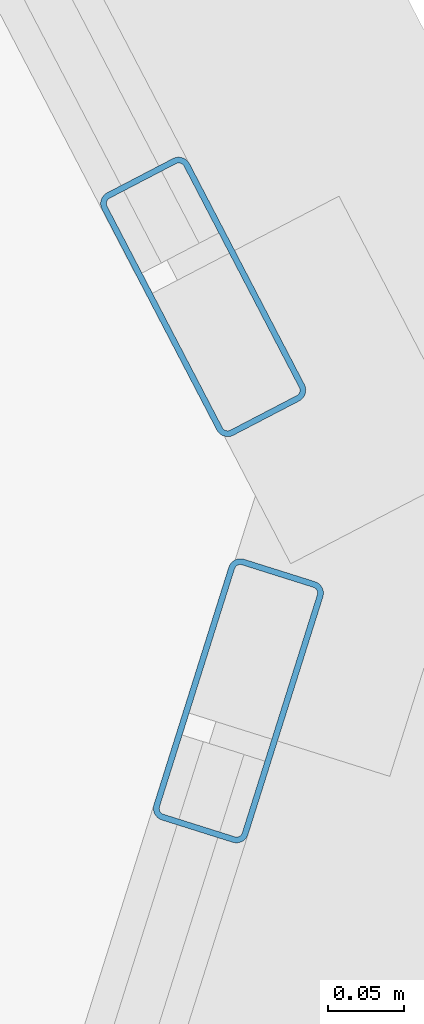
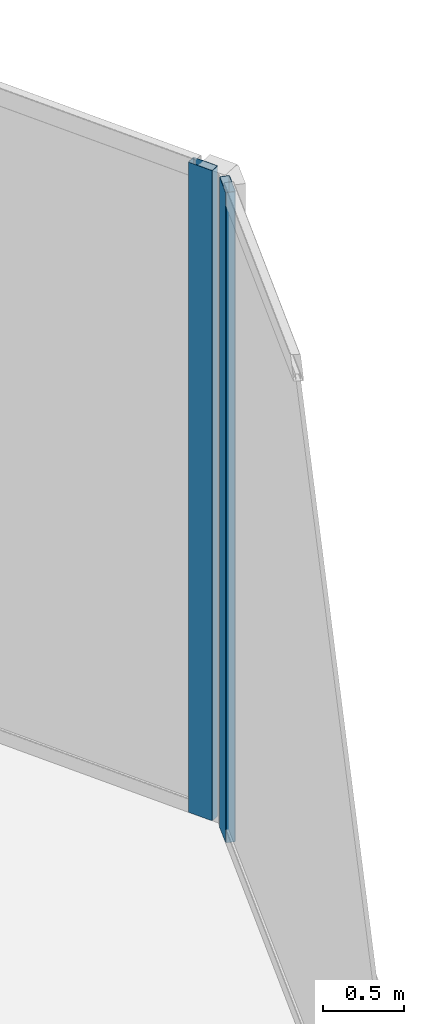
# One storey, part 19 of 28: 2 members, 2 elements without a shape of their own.
"""IFC4 building model written with IfcOpenShell, lengths in metres."""

from ifc_helpers import new_model, si_unit, direction, frame, origin, origin_2d, place, context, subcontext, project, spatial, hollow_rectangle, extrude, source, transform, mapped, material, material_profile, profile_set, type_object, element, aggregate, save


model = new_model("IFC4")

# Units and contexts
model_context = context("Model", 3, precision=1e-05, world=origin(), true_north=direction((0.0, 1.0)))
body_context = subcontext(model_context, "Body", "Model", "MODEL_VIEW")
ifc_project = project(units=[si_unit("LENGTHUNIT", "METRE"), si_unit("AREAUNIT", "SQUARE_METRE"), si_unit("VOLUMEUNIT", "CUBIC_METRE"), si_unit("PLANEANGLEUNIT", "RADIAN"), si_unit("MASSUNIT", "GRAM", prefix="KILO")], contexts=[model_context])

# Site, building, storey
site_placement = place(None, origin())
site = spatial("IfcSite", under=ifc_project, at=site_placement, CompositionType="ELEMENT")
building_placement = place(site_placement, origin())
building = spatial("IfcBuilding", under=site, at=building_placement, Name="Torre Montelarca", CompositionType="ELEMENT")
storey_placement = place(building_placement, frame((0.0, 0.0, 116.800048828125)))
storey = spatial("IfcBuildingStorey", under=building, at=storey_placement, Name="L26", CompositionType="ELEMENT", Elevation=116.800048828125)

# Curtain wall, member
ifc_material_1 = material(Name="Insulated low-E laminated glass", Category="glass")
curtain_wall_type = type_object("IfcCurtainWallType", Name="CW-SYS-Z1", PredefinedType="USERDEFINED", material=ifc_material_1)
curtain_wall_1_placement = place(storey_placement, origin())
curtain_wall_1 = element("IfcCurtainWall", 1, at=curtain_wall_1_placement, inside=storey, type_object=curtain_wall_type, Name="L26 Curtain Wall Run CW-T3-L26-E06-B1", ObjectType="UNITISED GLAZING", PredefinedType="USERDEFINED")
ifc_material_2 = material(Name="Anodised aluminium AA 6063-T6", Category="aluminium")
ifc_material_profile = material_profile(ifc_material_2, hollow_rectangle(XDim=0.06494140625, YDim=0.179931640625, WallThickness=0.00390625, InnerFilletRadius=0.00390625, OuterFilletRadius=0.008056640625, at=origin_2d()), Name="ALU65X180X4", Category="aluminium")
ifc_profile_set = profile_set([ifc_material_profile], Name="Anodised aluminium AA 6063-T6")
member_type = type_object("IfcMemberType", Name="CWM-ALU180", PredefinedType="MULLION", material=ifc_profile_set)
shared_shape = source(origin(), body_context, "Body", "SweptSolid", [
    extrude(hollow_rectangle(XDim=0.06494140625, YDim=0.179931640625, WallThickness=0.00390625, InnerFilletRadius=0.00390625, OuterFilletRadius=0.008056640625, at=origin_2d()), origin(), (0.0, 0.0, 1.0), 4.919921875),
])
member_1_placement = place(storey_placement, frame((65.272216796875, 30.258544921875, 0.0), z_axis=(0.0, 0.0, 1.0), x_axis=(-0.95371704325, 0.300705506127, 0.0)))
member_1 = element("IfcMember", 2, at=member_1_placement, type_object=member_type, Name="CW mullion 3", PredefinedType="MULLION", context=body_context, shape_type="MappedRepresentation", body=[
    mapped(shared_shape, transform((0.0, 0.0, 0.0), scale=1.0)),
])
aggregate(curtain_wall_1, [member_1])

curtain_wall_2_placement = place(storey_placement, origin())
curtain_wall_2 = element("IfcCurtainWall", 3, at=curtain_wall_2_placement, inside=storey, type_object=curtain_wall_type, Name="L26 Curtain Wall Run CW-T3-L26-E07-B1", ObjectType="UNITISED GLAZING", PredefinedType="USERDEFINED")
member_2_placement = place(storey_placement, frame((65.2490234375, 30.5244140625, 0.0), z_axis=(0.0, 0.0, 1.0), x_axis=(-0.887014239788, -0.461742069139, 0.0)))
member_2 = element("IfcMember", 4, at=member_2_placement, type_object=member_type, Name="CW mullion 1", PredefinedType="MULLION", context=body_context, shape_type="MappedRepresentation", body=[
    mapped(shared_shape, transform((0.0, 0.0, 0.0), scale=1.0)),
])
aggregate(curtain_wall_2, [member_2])

save(model, "model.ifc")
